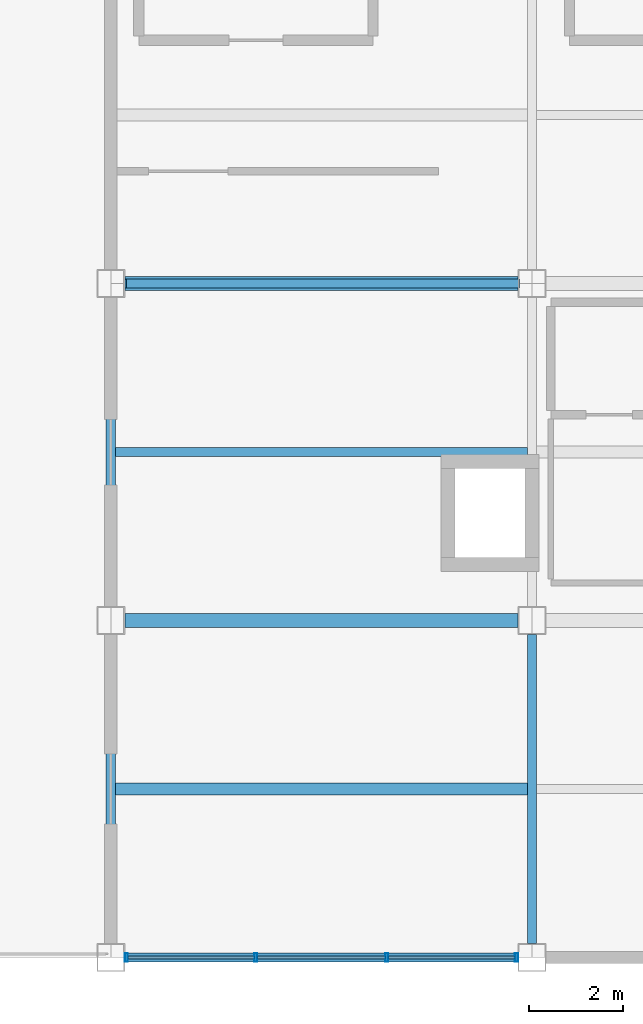
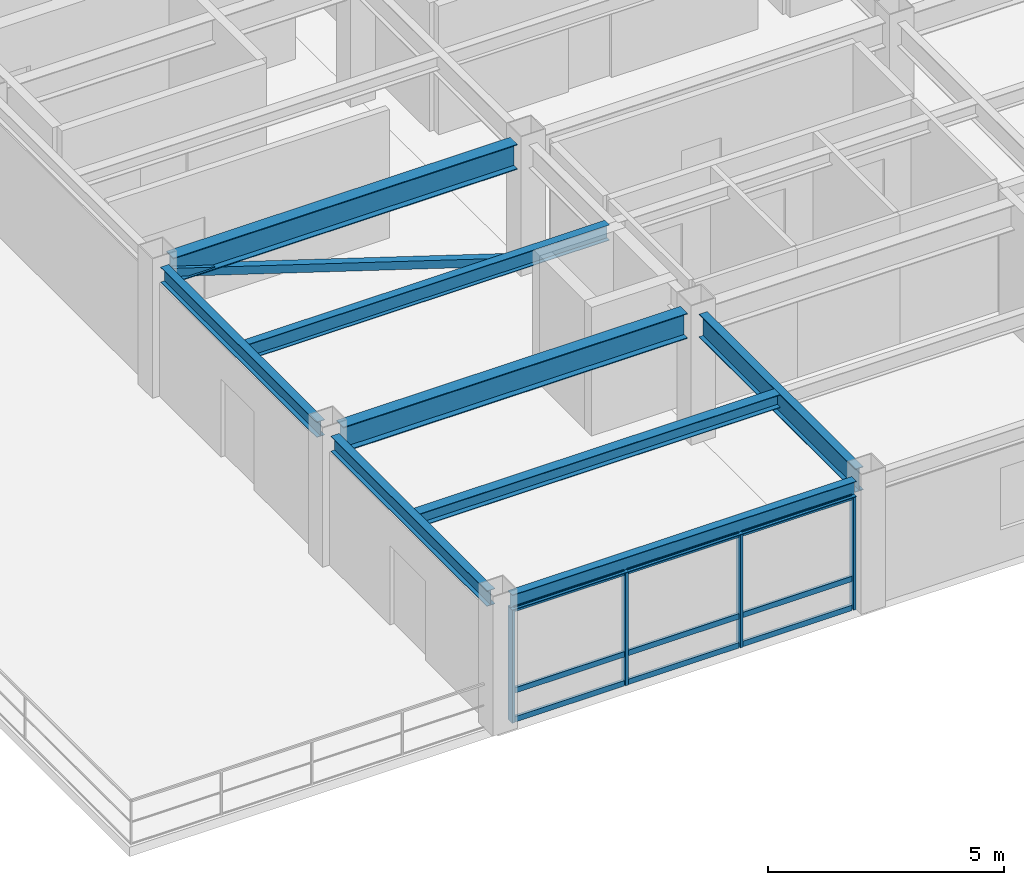
# One storey, part 2 of 11: 14 members, 8 beams, 1 element without a shape of its own.
"""IFC4 building model written with IfcOpenShell, lengths in metres."""

from ifc_helpers import new_model, si_unit, direction, frame, origin, origin_2d, place, context, subcontext, project, spatial, hollow_rectangle, i_section, extrude, material, material_profile, profile_set, type_object, element, aggregate, save


model = new_model("IFC4")

# Units and contexts
model_context = context("Model", 3, precision=1e-05, world=origin(), true_north=direction((0.0, 1.0)))
body_context = subcontext(model_context, "Body", "Model", "MODEL_VIEW")
ifc_project = project(units=[si_unit("LENGTHUNIT", "METRE"), si_unit("AREAUNIT", "SQUARE_METRE"), si_unit("VOLUMEUNIT", "CUBIC_METRE"), si_unit("PLANEANGLEUNIT", "RADIAN"), si_unit("MASSUNIT", "GRAM", prefix="KILO")], contexts=[model_context])

# Site, building, storey
site_placement = place(None, origin())
site = spatial("IfcSite", under=ifc_project, at=site_placement, CompositionType="ELEMENT")
building_placement = place(site_placement, origin())
building = spatial("IfcBuilding", under=site, at=building_placement, Name="Kazanami Central Library", CompositionType="ELEMENT")
storey_placement = place(building_placement, frame((0.0, 0.0, 24.199951171875)))
storey = spatial("IfcBuildingStorey", under=building, at=storey_placement, Name="L07", CompositionType="ELEMENT", Elevation=24.199951171875)

# Beams
ifc_material_1 = material(Name="Steel SN400B (235 MPa)", Category="steel")
ifc_material_profile_1 = material_profile(ifc_material_1, i_section(OverallWidth=0.199951171875, OverallDepth=0.39990234375, WebThickness=0.008056640625, FlangeThickness=0.012939453125, at=origin_2d()), Name="H-400x200x8x13")
ifc_profile_set_1 = profile_set([ifc_material_profile_1], Name="Steel SN400B (235 MPa)")
beam_type_1 = type_object("IfcBeamType", Name="BM-B-S1", PredefinedType="JOIST", material=ifc_profile_set_1)
beam_1_placement = place(storey_placement, frame((126.097900390625, 68.39990234375, 3.1201171875), z_axis=(1.0, 0.0, 0.0), x_axis=(0.0, 1.0, 0.0)))
element("IfcBeam", 1, at=beam_1_placement, inside=storey, type_object=beam_type_1, Name="Composite Secondary Joist B-S1 L07 Bay 15/K.1", PredefinedType="JOIST", context=body_context, shape_type="SweptSolid", body=[
    extrude(i_section(OverallWidth=0.199951171875, OverallDepth=0.39990234375, WebThickness=0.008056640625, FlangeThickness=0.012939453125, at=origin_2d()), origin(), (0.0, 0.0, 1.0), 8.80419921875),
])
ifc_material_profile_2 = material_profile(ifc_material_1, i_section(OverallWidth=0.25, OverallDepth=0.340087890625, WebThickness=0.009033203125, FlangeThickness=0.013916015625, at=origin_2d()), Name="H-340x250x9x14")
ifc_profile_set_2 = profile_set([ifc_material_profile_2], Name="Steel SN400B (235 MPa)")
beam_type_2 = type_object("IfcBeamType", Name="BM-B-S3", PredefinedType="JOIST", material=ifc_profile_set_2)
beam_2_placement = place(storey_placement, frame((126.097900390625, 61.199951171875, 3.150146484375), z_axis=(1.0, 0.0, 0.0), x_axis=(0.0, 1.0, 0.0)))
element("IfcBeam", 2, at=beam_2_placement, inside=storey, type_object=beam_type_2, Name="Composite Secondary Joist B-S3 L07 Bay 15/J.1", PredefinedType="JOIST", context=body_context, shape_type="SweptSolid", body=[
    extrude(i_section(OverallWidth=0.25, OverallDepth=0.340087890625, WebThickness=0.009033203125, FlangeThickness=0.013916015625, at=origin_2d()), origin(), (0.0, 0.0, 1.0), 8.80419921875),
])
ifc_material_2 = material(Name="Steel SN490B (325 MPa)", Category="steel")
ifc_material_profile_3 = material_profile(ifc_material_2, i_section(OverallWidth=0.300048828125, OverallDepth=0.64990234375, WebThickness=0.012939453125, FlangeThickness=0.02099609375, at=origin_2d()), Name="H-650x300x13x21")
ifc_profile_set_3 = profile_set([ifc_material_profile_3], Name="Steel SN490B (325 MPa)")
beam_type_3 = type_object("IfcBeamType", Name="BM-G-TR", PredefinedType="BEAM", material=ifc_profile_set_3)
for number, where, z_axis, x_axis, name in (
    (3, (126.298095703125, 64.800048828125, 2.9951171875), (1.0, 0.0, 0.0), (0.0, 1.0, 0.0), "Girder G-TR L07 K/15-16"),
    (4, (126.298095703125, 72.0, 2.9951171875), (1.0, 0.0, 0.0), (0.0, 1.0, 0.0), "Girder G-TR L07 L/15-16"),
):
    element("IfcBeam", number, at=place(storey_placement, frame(where, z_axis=z_axis, x_axis=x_axis)), inside=storey, type_object=beam_type_3, Name=name, PredefinedType="BEAM", context=body_context, shape_type="SweptSolid", body=[
        extrude(i_section(OverallWidth=0.300048828125, OverallDepth=0.64990234375, WebThickness=0.012939453125, FlangeThickness=0.02099609375, at=origin_2d()), origin(), (0.0, 0.0, 1.0), 8.40380859375),
    ])
ifc_material_profile_4 = material_profile(ifc_material_2, i_section(OverallWidth=0.199951171875, OverallDepth=0.60009765625, WebThickness=0.010986328125, FlangeThickness=0.01708984375, at=origin_2d()), Name="H-600x200x11x17")
ifc_profile_set_4 = profile_set([ifc_material_profile_4], Name="Steel SN490B (325 MPa)")
beam_type_4 = type_object("IfcBeamType", Name="BM-G-Y1", PredefinedType="BEAM", material=ifc_profile_set_4)
beam_3_placement = place(storey_placement, frame((135.0, 57.89794921875, 3.02001953125), z_axis=(0.0, 1.0, 0.0), x_axis=(-1.0, 0.0, 0.0)))
element("IfcBeam", 5, at=beam_3_placement, inside=storey, type_object=beam_type_4, Name="Girder G-Y1 L07 16/J-K", PredefinedType="BEAM", context=body_context, shape_type="SweptSolid", body=[
    extrude(i_section(OverallWidth=0.199951171875, OverallDepth=0.60009765625, WebThickness=0.010986328125, FlangeThickness=0.01708984375, at=origin_2d()), origin(), (0.0, 0.0, 1.0), 6.60400390625),
])
ifc_material_profile_5 = material_profile(ifc_material_2, i_section(OverallWidth=0.199951171875, OverallDepth=0.39990234375, WebThickness=0.008056640625, FlangeThickness=0.012939453125, at=origin_2d()), Name="H-400x200x8x13")
ifc_profile_set_5 = profile_set([ifc_material_profile_5], Name="Steel SN490B (325 MPa)")
beam_type_5 = type_object("IfcBeamType", Name="BM-SP-3", PredefinedType="SPANDREL", material=ifc_profile_set_5)
beam_4_placement = place(storey_placement, frame((126.298095703125, 57.60009765625, 3.1201171875), z_axis=(1.0, 0.0, 0.0), x_axis=(0.0, 1.0, 0.0)))
element("IfcBeam", 6, at=beam_4_placement, inside=storey, type_object=beam_type_5, Name="Girder SP-3 L07 J/15-16", PredefinedType="SPANDREL", context=body_context, shape_type="SweptSolid", body=[
    extrude(i_section(OverallWidth=0.199951171875, OverallDepth=0.39990234375, WebThickness=0.008056640625, FlangeThickness=0.012939453125, at=origin_2d()), origin(), (0.0, 0.0, 1.0), 8.40380859375),
])
for number, where, z_axis, x_axis, name in (
    (7, (126.0, 57.89794921875, 3.1201171875), (0.0, 1.0, 0.0), (-1.0, 0.0, 0.0), "Girder SP-3 L07 15/J-K"),
    (8, (126.0, 65.097900390625, 3.1201171875), (0.0, 1.0, 0.0), (-1.0, 0.0, 0.0), "Girder SP-3 L07 15/K-L"),
):
    element("IfcBeam", number, at=place(storey_placement, frame(where, z_axis=z_axis, x_axis=x_axis)), inside=storey, type_object=beam_type_5, Name=name, PredefinedType="SPANDREL", context=body_context, shape_type="SweptSolid", body=[
        extrude(i_section(OverallWidth=0.199951171875, OverallDepth=0.39990234375, WebThickness=0.008056640625, FlangeThickness=0.012939453125, at=origin_2d()), origin(), (0.0, 0.0, 1.0), 6.60400390625),
    ])

# Member
ifc_material_3 = material(Name="Steel STK490 (315 MPa)", Category="steel")
ifc_material_profile_6 = material_profile(ifc_material_3, hollow_rectangle(XDim=0.199951171875, YDim=0.199951171875, WallThickness=0.009033203125, at=origin_2d()), Name="STKR-200x200x9")
ifc_profile_set_6 = profile_set([ifc_material_profile_6], Name="Steel STK490 (315 MPa)")
member_type_1 = type_object("IfcMemberType", Name="MEM-BR-08", PredefinedType="BRACE", material=ifc_profile_set_6)
member_1_placement = place(storey_placement, frame((134.699951171875, 72.0, 0.25), z_axis=(-0.953008685185, 0.0, 0.302942974768), x_axis=(0.0, -1.0, 0.0)))
element("IfcMember", 9, at=member_1_placement, inside=storey, type_object=member_type_1, Name="Concentric Steel Brace BR-08 L07 BF-V2A", PredefinedType="BRACE", context=body_context, shape_type="SweptSolid", body=[
    extrude(hollow_rectangle(XDim=0.199951171875, YDim=0.199951171875, WallThickness=0.009033203125, at=origin_2d()), origin(), (0.0, 0.0, 1.0), 8.814208984375),
])

# Curtain wall, members
ifc_material_4 = material(Name="Acid-Etched Low-E Laminated Glass", Category="glass")
curtain_wall_type = type_object("IfcCurtainWallType", Name="CW-8400x2920-M275", PredefinedType="USERDEFINED", material=ifc_material_4)
curtain_wall_placement = place(storey_placement, origin())
curtain_wall = element("IfcCurtainWall", 10, at=curtain_wall_placement, inside=storey, type_object=curtain_wall_type, Name="Unitised Curtain Wall CW-55 L07 S-J-14", ObjectType="UNITISED CURTAIN WALL", PredefinedType="USERDEFINED")
ifc_material_5 = material(Name="Anodised Aluminium A6063-T5", Category="aluminium")
ifc_material_profile_7 = material_profile(ifc_material_5, hollow_rectangle(XDim=0.06494140625, YDim=0.179931640625, WallThickness=0.00390625, at=origin_2d()), Name="ALU-MULL-65x180x4")
ifc_profile_set_7 = profile_set([ifc_material_profile_7], Name="Anodised Aluminium A6063-T5")
member_type_2 = type_object("IfcMemberType", Name="MEM-CW-M2", PredefinedType="MULLION", material=ifc_profile_set_7)
member_2_placement = place(storey_placement, frame((126.33251953125, 57.60009765625, 0.0), z_axis=(0.0, 0.0, 1.0), x_axis=(1.0, 0.0, 0.0)))
member_2 = element("IfcMember", 11, at=member_2_placement, type_object=member_type_2, Name="CW-55 mullion 1", PredefinedType="MULLION", context=body_context, shape_type="SweptSolid", body=[
    extrude(hollow_rectangle(XDim=0.06494140625, YDim=0.179931640625, WallThickness=0.00390625, at=origin_2d()), origin(), (0.0, 0.0, 1.0), 2.920166015625),
])
member_3_placement = place(storey_placement, frame((129.10009765625, 57.60009765625, 0.0), z_axis=(0.0, 0.0, 1.0), x_axis=(1.0, 0.0, 0.0)))
member_3 = element("IfcMember", 12, at=member_3_placement, type_object=member_type_2, Name="CW-55 mullion 2", PredefinedType="MULLION", context=body_context, shape_type="SweptSolid", body=[
    extrude(hollow_rectangle(XDim=0.06494140625, YDim=0.179931640625, WallThickness=0.00390625, at=origin_2d()), origin(), (0.0, 0.0, 1.0), 2.920166015625),
])
member_4_placement = place(storey_placement, frame((131.89990234375, 57.60009765625, 0.0), z_axis=(0.0, 0.0, 1.0), x_axis=(1.0, 0.0, 0.0)))
member_4 = element("IfcMember", 13, at=member_4_placement, type_object=member_type_2, Name="CW-55 mullion 3", PredefinedType="MULLION", context=body_context, shape_type="SweptSolid", body=[
    extrude(hollow_rectangle(XDim=0.06494140625, YDim=0.179931640625, WallThickness=0.00390625, at=origin_2d()), origin(), (0.0, 0.0, 1.0), 2.920166015625),
])
member_5_placement = place(storey_placement, frame((134.66748046875, 57.60009765625, 0.0), z_axis=(0.0, 0.0, 1.0), x_axis=(1.0, 0.0, 0.0)))
member_5 = element("IfcMember", 14, at=member_5_placement, type_object=member_type_2, Name="CW-55 mullion 4", PredefinedType="MULLION", context=body_context, shape_type="SweptSolid", body=[
    extrude(hollow_rectangle(XDim=0.06494140625, YDim=0.179931640625, WallThickness=0.00390625, at=origin_2d()), origin(), (0.0, 0.0, 1.0), 2.920166015625),
])
ifc_material_profile_8 = material_profile(ifc_material_5, hollow_rectangle(XDim=0.06494140625, YDim=0.139892578125, WallThickness=0.00390625, at=origin_2d()), Name="ALU-TRAN-65x140x4")
ifc_profile_set_8 = profile_set([ifc_material_profile_8], Name="Anodised Aluminium A6063-T5")
member_type_3 = type_object("IfcMemberType", Name="MEM-CW-T2", PredefinedType="USERDEFINED", material=ifc_profile_set_8)
member_6_placement = place(storey_placement, frame((126.364990234375, 57.60009765625, 0.032470703125), z_axis=(1.0, 0.0, 0.0), x_axis=(0.0, 1.0, 0.0)))
member_6 = element("IfcMember", 15, at=member_6_placement, type_object=member_type_3, Name="CW-55 transom 1.1", ObjectType="TRANSOM", PredefinedType="USERDEFINED", context=body_context, shape_type="SweptSolid", body=[
    extrude(hollow_rectangle(XDim=0.06494140625, YDim=0.139892578125, WallThickness=0.00390625, at=origin_2d()), origin(), (0.0, 0.0, 1.0), 2.702392578125),
])
member_7_placement = place(storey_placement, frame((126.364990234375, 57.60009765625, 0.780029296875), z_axis=(1.0, 0.0, 0.0), x_axis=(0.0, 1.0, 0.0)))
member_7 = element("IfcMember", 16, at=member_7_placement, type_object=member_type_3, Name="CW-55 transom 1.2", ObjectType="TRANSOM", PredefinedType="USERDEFINED", context=body_context, shape_type="SweptSolid", body=[
    extrude(hollow_rectangle(XDim=0.06494140625, YDim=0.139892578125, WallThickness=0.00390625, at=origin_2d()), origin(), (0.0, 0.0, 1.0), 2.702392578125),
])
member_8_placement = place(storey_placement, frame((126.364990234375, 57.60009765625, 2.887451171875), z_axis=(1.0, 0.0, 0.0), x_axis=(0.0, 1.0, 0.0)))
member_8 = element("IfcMember", 17, at=member_8_placement, type_object=member_type_3, Name="CW-55 transom 1.3", ObjectType="TRANSOM", PredefinedType="USERDEFINED", context=body_context, shape_type="SweptSolid", body=[
    extrude(hollow_rectangle(XDim=0.06494140625, YDim=0.139892578125, WallThickness=0.00390625, at=origin_2d()), origin(), (0.0, 0.0, 1.0), 2.702392578125),
])
member_9_placement = place(storey_placement, frame((129.132568359375, 57.60009765625, 0.032470703125), z_axis=(1.0, 0.0, 0.0), x_axis=(0.0, 1.0, 0.0)))
member_9 = element("IfcMember", 18, at=member_9_placement, type_object=member_type_3, Name="CW-55 transom 2.1", ObjectType="TRANSOM", PredefinedType="USERDEFINED", context=body_context, shape_type="SweptSolid", body=[
    extrude(hollow_rectangle(XDim=0.06494140625, YDim=0.139892578125, WallThickness=0.00390625, at=origin_2d()), origin(), (0.0, 0.0, 1.0), 2.73486328125),
])
member_10_placement = place(storey_placement, frame((129.132568359375, 57.60009765625, 0.780029296875), z_axis=(1.0, 0.0, 0.0), x_axis=(0.0, 1.0, 0.0)))
member_10 = element("IfcMember", 19, at=member_10_placement, type_object=member_type_3, Name="CW-55 transom 2.2", ObjectType="TRANSOM", PredefinedType="USERDEFINED", context=body_context, shape_type="SweptSolid", body=[
    extrude(hollow_rectangle(XDim=0.06494140625, YDim=0.139892578125, WallThickness=0.00390625, at=origin_2d()), origin(), (0.0, 0.0, 1.0), 2.73486328125),
])
member_11_placement = place(storey_placement, frame((129.132568359375, 57.60009765625, 2.887451171875), z_axis=(1.0, 0.0, 0.0), x_axis=(0.0, 1.0, 0.0)))
member_11 = element("IfcMember", 20, at=member_11_placement, type_object=member_type_3, Name="CW-55 transom 2.3", ObjectType="TRANSOM", PredefinedType="USERDEFINED", context=body_context, shape_type="SweptSolid", body=[
    extrude(hollow_rectangle(XDim=0.06494140625, YDim=0.139892578125, WallThickness=0.00390625, at=origin_2d()), origin(), (0.0, 0.0, 1.0), 2.73486328125),
])
member_12_placement = place(storey_placement, frame((131.9326171875, 57.60009765625, 0.032470703125), z_axis=(1.0, 0.0, 0.0), x_axis=(0.0, 1.0, 0.0)))
member_12 = element("IfcMember", 21, at=member_12_placement, type_object=member_type_3, Name="CW-55 transom 3.1", ObjectType="TRANSOM", PredefinedType="USERDEFINED", context=body_context, shape_type="SweptSolid", body=[
    extrude(hollow_rectangle(XDim=0.06494140625, YDim=0.139892578125, WallThickness=0.00390625, at=origin_2d()), origin(), (0.0, 0.0, 1.0), 2.702392578125),
])
member_13_placement = place(storey_placement, frame((131.9326171875, 57.60009765625, 0.780029296875), z_axis=(1.0, 0.0, 0.0), x_axis=(0.0, 1.0, 0.0)))
member_13 = element("IfcMember", 22, at=member_13_placement, type_object=member_type_3, Name="CW-55 transom 3.2", ObjectType="TRANSOM", PredefinedType="USERDEFINED", context=body_context, shape_type="SweptSolid", body=[
    extrude(hollow_rectangle(XDim=0.06494140625, YDim=0.139892578125, WallThickness=0.00390625, at=origin_2d()), origin(), (0.0, 0.0, 1.0), 2.702392578125),
])
member_14_placement = place(storey_placement, frame((131.9326171875, 57.60009765625, 2.887451171875), z_axis=(1.0, 0.0, 0.0), x_axis=(0.0, 1.0, 0.0)))
member_14 = element("IfcMember", 23, at=member_14_placement, type_object=member_type_3, Name="CW-55 transom 3.3", ObjectType="TRANSOM", PredefinedType="USERDEFINED", context=body_context, shape_type="SweptSolid", body=[
    extrude(hollow_rectangle(XDim=0.06494140625, YDim=0.139892578125, WallThickness=0.00390625, at=origin_2d()), origin(), (0.0, 0.0, 1.0), 2.702392578125),
])
aggregate(curtain_wall, [member_2, member_3, member_4, member_5, member_6, member_7, member_8, member_9, member_10, member_11, member_12, member_13, member_14])

save(model, "model.ifc")
